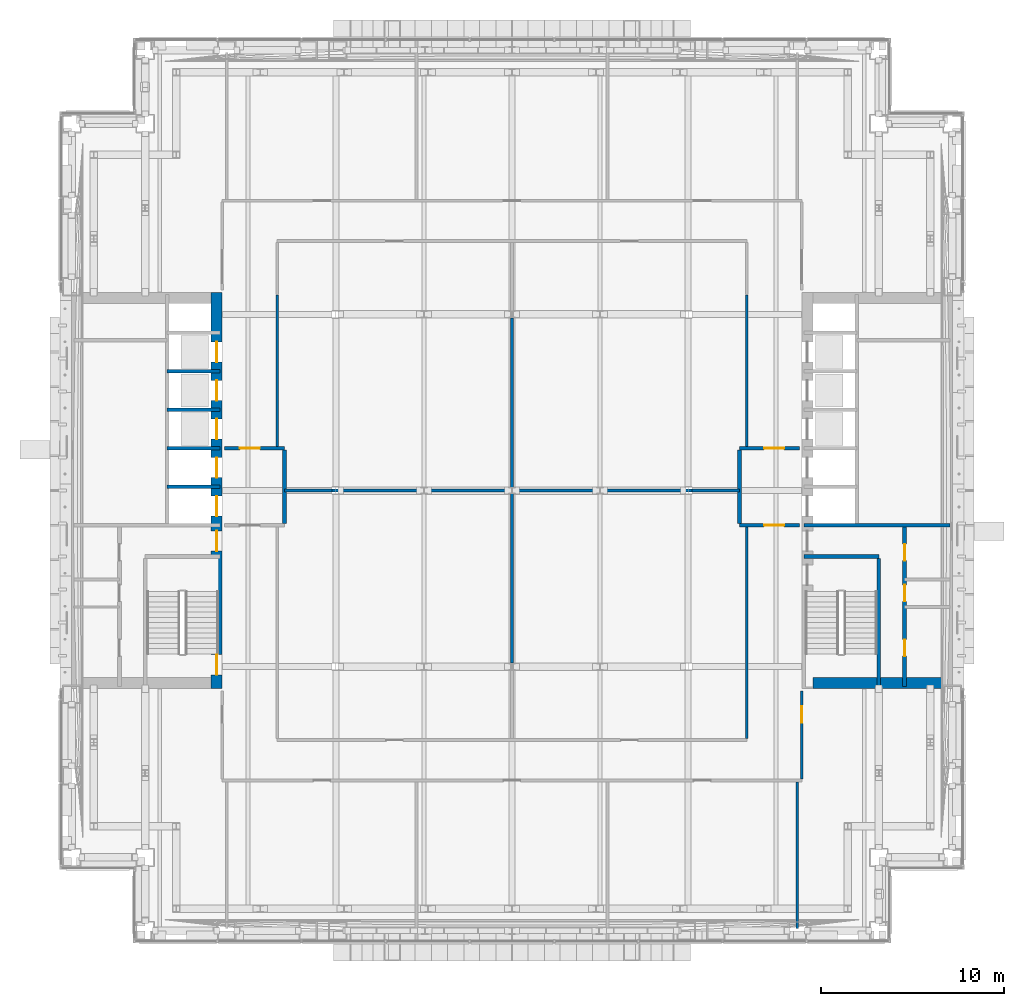
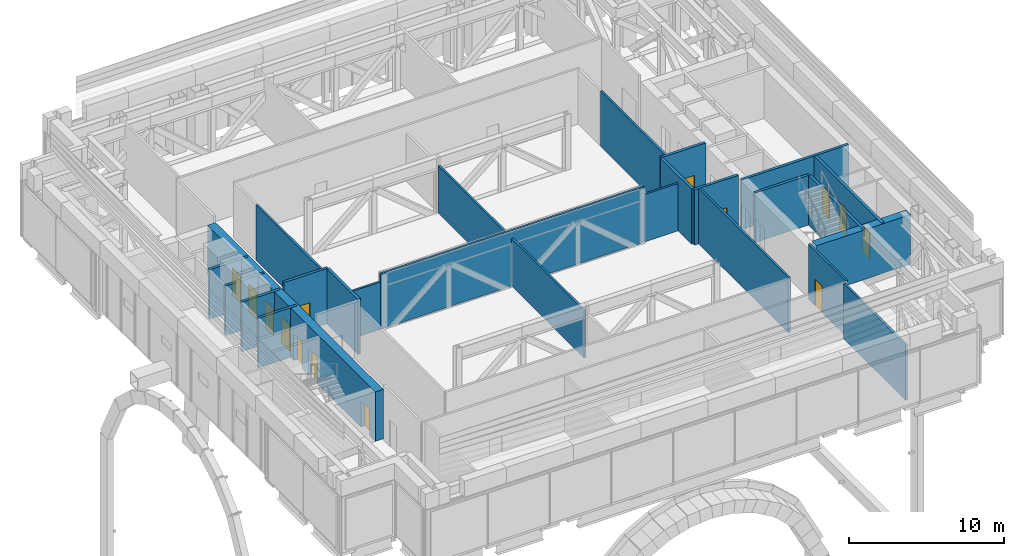
# One storey, part 18 of 39: 25 walls, 14 doors, 14 openings.
"""IFC4 building model written with IfcOpenShell, lengths in metres."""

import ifcopenshell
import ifcopenshell.guid

model = None  # the IFC model being written
_history = None  # IfcOwnerHistory: only IFC2X3 demands one
_inside = {}  # id of a spatial element -> (the spatial element, [elements in it])
_under = {}  # id of a project, library or spatial element -> (it, [spatial elements below it])
_declared = {}  # id of a project -> (the project, [libraries it declares])
_typed = {}  # id of a type object -> (the type object, [elements of that type])
_made_of = {}  # id of a material, layer set ... -> (it, [elements and type objects made of it])


def new_model(schema):
    """Start an empty IFC model of exactly this schema.

    Asked for "IFC4X3", IfcOpenShell would pick the latest addendum, in which some entities
    have other attributes; the version numbers below select the first issue.
    IFC2X3 requires an IfcOwnerHistory on every rooted entity: one is made here for all.
    """
    global model, _history
    if schema == "IFC4X3":
        model = ifcopenshell.file(schema_version=(4, 3, 0, 0))
    else:
        model = ifcopenshell.file(schema=schema)
    _inside.clear()
    _under.clear()
    _declared.clear()
    _typed.clear()
    _made_of.clear()
    _history = None
    if model.schema == "IFC2X3":
        org = make("IfcOrganization", Name="unknown")
        user = make(
            "IfcPersonAndOrganization",
            ThePerson=make("IfcPerson", FamilyName="unknown"),
            TheOrganization=org,
        )
        app = make(
            "IfcApplication",
            ApplicationDeveloper=org,
            Version="unknown",
            ApplicationFullName="unknown",
            ApplicationIdentifier="unknown",
        )
        _history = make(
            "IfcOwnerHistory",
            OwningUser=user,
            OwningApplication=app,
            ChangeAction="ADDED",
            CreationDate=0,
        )
    return model


def make(cls, **values):
    """One entity of the class cls with the attributes given. An attribute that is None is left unset."""
    return model.create_entity(
        cls, **{name: value for name, value in values.items() if value is not None}
    )


def rooted(cls, **values):
    """An entity with a GlobalId (a new one), such as an element, a storey or a relation."""
    return make(cls, GlobalId=ifcopenshell.guid.new(), OwnerHistory=_history, **values)


def si_unit(unit_type, name, prefix=None):
    """IfcSIUnit, for example si_unit("LENGTHUNIT", "METRE", prefix="MILLI")."""
    return make("IfcSIUnit", UnitType=unit_type, Prefix=prefix, Name=name)


def assignment(units):
    """IfcUnitAssignment: the units of a project."""
    return None if units is None else make("IfcUnitAssignment", Units=units)


def point(xyz):
    """IfcCartesianPoint."""
    return None if xyz is None else make("IfcCartesianPoint", Coordinates=xyz)


def direction(xyz):
    """IfcDirection."""
    return None if xyz is None else make("IfcDirection", DirectionRatios=xyz)


def frame(location, z_axis=None, x_axis=None):
    """IfcAxis2Placement3D, a coordinate frame: its origin and axes. An axis left out is left unset."""
    return make(
        "IfcAxis2Placement3D",
        Location=point(location),
        Axis=direction(z_axis),
        RefDirection=direction(x_axis),
    )


def frame_2d(location, x_axis=None):
    """IfcAxis2Placement2D, a coordinate frame in the plane: its origin and x axis."""
    return make(
        "IfcAxis2Placement2D", Location=point(location), RefDirection=direction(x_axis)
    )


def origin():
    """The frame at (0, 0, 0) with its axes left unset."""
    return frame((0.0, 0.0, 0.0))


def place(relative_to, where):
    """IfcLocalPlacement: puts the frame where relative to a parent placement (None: the world)."""
    return make(
        "IfcLocalPlacement", PlacementRelTo=relative_to, RelativePlacement=where
    )


def context(
    kind, dimensions, precision=None, world=None, true_north=None, identifier=None
):
    """IfcGeometricRepresentationContext, for example the 3D "Model" context."""
    return make(
        "IfcGeometricRepresentationContext",
        ContextIdentifier=identifier,
        ContextType=kind,
        CoordinateSpaceDimension=dimensions,
        Precision=precision,
        WorldCoordinateSystem=world,
        TrueNorth=true_north,
    )


def subcontext(parent, identifier, kind, view, scale=None):
    """IfcGeometricRepresentationSubContext, for example "Body" below "Model"."""
    return make(
        "IfcGeometricRepresentationSubContext",
        ContextIdentifier=identifier,
        ContextType=kind,
        ParentContext=parent,
        TargetScale=scale,
        TargetView=view,
    )


def project(units=None, contexts=None):
    """IfcProject with its units and contexts."""
    return rooted(
        "IfcProject",
        Name="project",
        RepresentationContexts=contexts,
        UnitsInContext=assignment(units),
    )


def spatial(cls, under=None, at=None, **own):
    """A site, building, storey or space (cls), placed at a placement, below another one or the project."""
    s = rooted(cls, ObjectPlacement=at, **own)
    if under is not None:
        _under.setdefault(under.id(), (under, []))[1].append(s)
    return s


def profile(cls, at=None, kind="AREA", **sizes):
    """A parametric profile (cls). Its sizes go by their IFC names, for example OverallWidth=200.0."""
    return make(cls, ProfileType=kind, Position=at, **sizes)


def rectangle(**sizes):
    """IfcRectangleProfileDef."""
    return profile("IfcRectangleProfileDef", **sizes)


def extrude(swept, where, along, depth):
    """IfcExtrudedAreaSolid: the profile swept, set in the frame where, extruded along a direction by depth."""
    return make(
        "IfcExtrudedAreaSolid",
        SweptArea=swept,
        Position=where,
        ExtrudedDirection=direction(along),
        Depth=depth,
    )


def shape(context_of_items, identifier, shape_type, items):
    """IfcShapeRepresentation: the items that make up one representation, for example the "Body"."""
    return make(
        "IfcShapeRepresentation",
        ContextOfItems=context_of_items,
        RepresentationIdentifier=identifier,
        RepresentationType=shape_type,
        Items=items,
    )


def material(Name=None, Category=None):
    """IfcMaterial."""
    return make("IfcMaterial", Name=Name, Category=Category)


def layer(
    of_material, thickness, ventilated=None, Name=None, Category=None, Priority=None
):
    """IfcMaterialLayer: one layer of a wall or slab, of a material (None: an air gap)."""
    return make(
        "IfcMaterialLayer",
        Material=of_material,
        LayerThickness=thickness,
        IsVentilated=ventilated,
        Name=Name,
        Category=Category,
        Priority=Priority,
    )


def layer_set(layers, Name=None):
    """IfcMaterialLayerSet."""
    return make("IfcMaterialLayerSet", MaterialLayers=layers, LayerSetName=Name)


def made_of(thing, what):
    """Note that an element or type object is made of a material, layer set ...; save() writes the relation."""
    if what is not None:
        _made_of.setdefault(what.id(), (what, []))[1].append(thing)
    return thing


def type_object(cls, material=None, **own):
    """A type object (cls), such as IfcWallType, which elements share."""
    return made_of(rooted(cls, **own), material)


def element(
    cls,
    number,
    at=None,
    inside=None,
    cuts=None,
    type_object=None,
    material=None,
    context=None,
    identifier="Body",
    shape_type=None,
    held_by="IfcProductDefinitionShape",
    body=None,
    shapes=None,
    **own,
):
    """One element of the class cls, such as IfcWall. Its Tag is "e" and its number.

    at: its placement. inside: the storey or other place that contains it. cuts: it is an
    opening in that element (IfcRelVoidsElement). A single representation is given by context,
    identifier, shape_type and body (its items); several are given by shapes. held_by: the class
    of the entity that holds the representations. save() writes the other relations.
    """
    e = rooted(cls, Tag="e%d" % number, ObjectPlacement=at, **own)
    if body is not None:
        shapes = [shape(context, identifier, shape_type, body)]
    if shapes is not None:
        e.Representation = make(held_by, Representations=shapes)
    if inside is not None:
        _inside.setdefault(inside.id(), (inside, []))[1].append(e)
    if cuts is not None:
        rooted(
            "IfcRelVoidsElement", RelatingBuildingElement=cuts, RelatedOpeningElement=e
        )
    if type_object is not None:
        _typed.setdefault(type_object.id(), (type_object, []))[1].append(e)
    return made_of(e, material)


def fill(opening, filler):
    """IfcRelFillsElement: the door or window that sits in an opening."""
    return rooted(
        "IfcRelFillsElement",
        RelatingOpeningElement=opening,
        RelatedBuildingElement=filler,
    )


def aggregate(whole, parts):
    """IfcRelAggregates: a whole, such as a stair, and the parts it consists of."""
    return rooted("IfcRelAggregates", RelatingObject=whole, RelatedObjects=parts)


def save(model, path):
    """Write the relations noted so far, then the file.

    IfcRelAggregates (storeys below a building ...), IfcRelContainedInSpatialStructure (elements
    in a storey), IfcRelDefinesByType, IfcRelAssociatesMaterial and IfcRelDeclares: one each for
    every whole, place, type object, material and project.
    """
    for whole, parts in _under.values():
        aggregate(whole, parts)
    for where, things in _inside.values():
        rooted(
            "IfcRelContainedInSpatialStructure",
            RelatedElements=things,
            RelatingStructure=where,
        )
    for kind, things in _typed.values():
        rooted("IfcRelDefinesByType", RelatedObjects=things, RelatingType=kind)
    for what, things in _made_of.values():
        rooted("IfcRelAssociatesMaterial", RelatedObjects=things, RelatingMaterial=what)
    for by, libraries in _declared.values():
        rooted("IfcRelDeclares", RelatingContext=by, RelatedDefinitions=libraries)
    model.write(path)


model = new_model("IFC4")

# Units and contexts
model_context = context("Model", 3, precision=1e-05, world=origin(), true_north=direction((0.0, 1.0)))
body_context = subcontext(model_context, "Body", "Model", "MODEL_VIEW")
ifc_project = project(units=[si_unit("LENGTHUNIT", "METRE"), si_unit("AREAUNIT", "SQUARE_METRE"), si_unit("VOLUMEUNIT", "CUBIC_METRE"), si_unit("PLANEANGLEUNIT", "RADIAN"), si_unit("MASSUNIT", "GRAM", prefix="KILO")], contexts=[model_context])

# Site, building, storey
site_placement = place(None, origin())
site = spatial("IfcSite", under=ifc_project, at=site_placement, CompositionType="ELEMENT")
building_placement = place(site_placement, origin())
building = spatial("IfcBuilding", under=site, at=building_placement, Name="Cobrizo Arcos Hotel Tower", CompositionType="ELEMENT")
storey_placement = place(building_placement, frame((0.0, 0.0, 84.5)))
storey = spatial("IfcBuildingStorey", under=building, at=storey_placement, Name="L20", CompositionType="ELEMENT", Elevation=84.5)

# Walls
ifc_material_1 = material(Name="Gypsum board partition")
ifc_layer_1 = layer(ifc_material_1, 0.14990234375)
ifc_layer_set_1 = layer_set([ifc_layer_1], Name="Corridor wall EI 60 150")
wall_type_1 = type_object("IfcWallType", Name="Corridor wall EI 60 150", PredefinedType="PARTITIONING", material=ifc_layer_set_1)
wall_1_placement = place(storey_placement, frame((-12.39990234375, 0.0, 0.0), z_axis=(0.0, 0.0, 1.0), x_axis=(1.0, 0.0, 0.0)))
element("IfcWall", 1, at=wall_1_placement, inside=storey, type_object=wall_type_1, Name="Partition 013", PredefinedType="PARTITIONING", context=body_context, shape_type="SweptSolid", body=[
    extrude(rectangle(XDim=2.595947265625, YDim=0.14990234375, at=frame_2d((1.2978515625, 0.0))), origin(), (0.0, 0.0, 1.0), 3.72802734375),
])
wall_2_placement = place(storey_placement, frame((-9.803955078125, 0.0, 0.0), z_axis=(0.0, 0.0, 1.0), x_axis=(1.0, 0.0, 0.0)))
element("IfcWall", 2, at=wall_2_placement, inside=storey, type_object=wall_type_1, Name="Partition 014", PredefinedType="PARTITIONING", context=body_context, shape_type="SweptSolid", body=[
    extrude(rectangle(XDim=19.60791015625, YDim=0.14990234375, at=frame_2d((9.803955078125, 0.0))), origin(), (0.0, 0.0, 1.0), 4.35009765625),
])
wall_3_placement = place(storey_placement, frame((9.803955078125, 0.0, 0.0), z_axis=(0.0, 0.0, 1.0), x_axis=(1.0, 0.0, 0.0)))
element("IfcWall", 3, at=wall_3_placement, inside=storey, type_object=wall_type_1, Name="Partition 015", PredefinedType="PARTITIONING", context=body_context, shape_type="SweptSolid", body=[
    extrude(rectangle(XDim=2.595947265625, YDim=0.14990234375, at=frame_2d((1.2978515625, 0.0))), origin(), (0.0, 0.0, 1.0), 3.72802734375),
])
wall_4_placement = place(storey_placement, frame((-12.800048828125, 2.39990234375, 0.0), z_axis=(0.0, 0.0, 1.0), x_axis=(0.0, 1.0, 0.0)))
element("IfcWall", 4, at=wall_4_placement, inside=storey, type_object=wall_type_1, Name="Partition 040", PredefinedType="PARTITIONING", context=body_context, shape_type="SweptSolid", body=[
    extrude(rectangle(XDim=8.25, YDim=0.14990234375, at=frame_2d((4.125, 0.0))), origin(), (0.0, 0.0, 1.0), 4.35009765625),
])
for number, where, z_axis, x_axis, name in (
    (5, (0.0, -9.39892578125, 0.0), (0.0, 0.0, 1.0), (0.0, 1.0, 0.0), "Partition 047"),
    (6, (0.0, 0.074951171875, 0.0), (0.0, 0.0, 1.0), (0.0, 1.0, 0.0), "Partition 048"),
):
    element("IfcWall", number, at=place(storey_placement, frame(where, z_axis=z_axis, x_axis=x_axis)), inside=storey, type_object=wall_type_1, Name=name, PredefinedType="PARTITIONING", context=body_context, shape_type="SweptSolid", body=[
        extrude(rectangle(XDim=9.323974609375, YDim=0.14990234375, at=frame_2d((4.662109375, 0.0))), origin(), (0.0, 0.0, 1.0), 3.72802734375),
    ])
wall_5_placement = place(storey_placement, frame((12.800048828125, -13.52490234375, 0.0), z_axis=(0.0, 0.0, 1.0), x_axis=(0.0, 1.0, 0.0)))
element("IfcWall", 7, at=wall_5_placement, inside=storey, type_object=wall_type_1, Name="Partition 054", PredefinedType="PARTITIONING", context=body_context, shape_type="SweptSolid", body=[
    extrude(rectangle(XDim=11.52490234375, YDim=0.14990234375, at=frame_2d((5.762451171875, 0.0))), origin(), (0.0, 0.0, 1.0), 4.35009765625),
])
wall_6_placement = place(storey_placement, frame((12.800048828125, 2.39990234375, 0.0), z_axis=(0.0, 0.0, 1.0), x_axis=(0.0, 1.0, 0.0)))
element("IfcWall", 8, at=wall_6_placement, inside=storey, type_object=wall_type_1, Name="Partition 055", PredefinedType="PARTITIONING", context=body_context, shape_type="SweptSolid", body=[
    extrude(rectangle(XDim=8.25, YDim=0.14990234375, at=frame_2d((4.125, 0.0))), origin(), (0.0, 0.0, 1.0), 4.35009765625),
])
wall_7_placement = place(storey_placement, frame((15.550048828125, -23.8798828125, 0.0), z_axis=(0.0, 0.0, 1.0), x_axis=(0.0, 1.0, 0.0)))
element("IfcWall", 9, at=wall_7_placement, inside=storey, type_object=wall_type_1, Name="Partition 057", PredefinedType="PARTITIONING", context=body_context, shape_type="SweptSolid", body=[
    extrude(rectangle(XDim=8.0048828125, YDim=0.14990234375, at=frame_2d((4.00244140625, 0.0))), origin(), (0.0, 0.0, 1.0), 4.35009765625),
])

# Wall, opening, door
wall_8_placement = place(storey_placement, frame((15.800048828125, -15.72509765625, 0.0), z_axis=(0.0, 0.0, 1.0), x_axis=(0.0, 1.0, 0.0)))
wall_8 = element("IfcWall", 10, at=wall_8_placement, inside=storey, type_object=wall_type_1, Name="Partition 059", PredefinedType="PARTITIONING", context=body_context, shape_type="SweptSolid", body=[
    extrude(rectangle(XDim=4.80517578125, YDim=0.14990234375, at=frame_2d((2.402587890625, 0.0))), origin(), (0.0, 0.0, 1.0), 4.35009765625),
])
opening_1_placement = place(wall_8_placement, frame((3.074951171875, 0.0, 0.0)))
opening_1 = element("IfcOpeningElement", 11, at=opening_1_placement, cuts=wall_8, Name="Opening RD-14", PredefinedType="OPENING", context=body_context, shape_type="SweptSolid", body=[
    extrude(rectangle(XDim=0.89990234375, YDim=2.10009765625, at=frame_2d((0.449951171875, 1.050048828125))), frame((0.0, 0.0869140625, 0.0), z_axis=(0.0, -1.0, 0.0), x_axis=(1.0, 0.0, 0.0)), (0.0, 0.0, 1.0), 0.173828125),
])
ifc_material_2 = material(Name="Timber door leaf", Category="wood")
door_type_1 = type_object("IfcDoorType", Name="Room door FD30 900x2100", OperationType="SINGLE_SWING_LEFT", PredefinedType="DOOR", material=ifc_material_2)
door_1_placement = place(opening_1_placement, origin())
door_1 = element("IfcDoor", 12, at=door_1_placement, inside=storey, type_object=door_type_1, Name="Door RD-14", OperationType="SINGLE_SWING_RIGHT", OverallHeight=2.10009765625, OverallWidth=0.89990234375, PredefinedType="DOOR", context=body_context, shape_type="SweptSolid", body=[
    extrude(rectangle(XDim=0.89990234375, YDim=2.10009765625, at=frame_2d((0.449951171875, 1.050048828125))), frame((0.0, 0.02490234375, 0.0), z_axis=(0.0, -1.0, 0.0), x_axis=(1.0, 0.0, 0.0)), (0.0, 0.0, 1.0), 0.050048828125),
])
fill(opening_1, door_1)

# Wall
ifc_material_3 = material(Name="Concrete f'c 60 MPa", Category="concrete")
ifc_layer_2 = layer(ifc_material_3, 0.60009765625)
ifc_layer_set_2 = layer_set([ifc_layer_2], Name="RC core wall 600 f'c 60")
wall_type_2 = type_object("IfcWallType", Name="RC core wall 600 f'c 60", PredefinedType="SHEAR", material=ifc_layer_set_2)
wall_9_placement = place(storey_placement, frame((16.39990234375, -10.5, 0.0), z_axis=(0.0, 0.0, 1.0), x_axis=(1.0, 0.0, 0.0)))
element("IfcWall", 13, at=wall_9_placement, inside=storey, type_object=wall_type_2, Name="Core wall CW1, east core, south end, L20", PredefinedType="SHEAR", context=body_context, shape_type="SweptSolid", body=[
    extrude(rectangle(XDim=7.0, YDim=0.60009765625, at=frame_2d((3.5, 0.0))), origin(), (0.0, 0.0, 1.0), 3.89990234375),
])

# Wall, openings, doors
wall_10_placement = place(storey_placement, frame((-16.10009765625, -10.800048828125, 0.0), z_axis=(0.0, 0.0, 1.0), x_axis=(0.0, 1.0, 0.0)))
wall_10 = element("IfcWall", 14, at=wall_10_placement, inside=storey, type_object=wall_type_2, Name="Core wall CW1, west core, inner face, L20", PredefinedType="SHEAR", context=body_context, shape_type="SweptSolid", body=[
    extrude(rectangle(XDim=21.60009765625, YDim=0.60009765625, at=frame_2d((10.800048828125, 0.0))), origin(), (0.0, 0.0, 1.0), 3.89990234375),
])
opening_2_placement = place(wall_10_placement, frame((9.39990234375, 0.0, 0.0)))
opening_2 = element("IfcOpeningElement", 15, at=opening_2_placement, cuts=wall_10, Name="Opening LD-01", PredefinedType="OPENING", context=body_context, shape_type="SweptSolid", body=[
    extrude(rectangle(XDim=1.10009765625, YDim=2.10009765625, at=frame_2d((0.550048828125, 1.050048828125))), frame((0.0, 0.31201171875, 0.0), z_axis=(0.0, -1.0, 0.0), x_axis=(1.0, 0.0, 0.0)), (0.0, 0.0, 1.0), 0.6240234375),
])
opening_3_placement = place(wall_10_placement, frame((11.5, 0.0, 0.0)))
opening_3 = element("IfcOpeningElement", 16, at=opening_3_placement, cuts=wall_10, Name="Opening LD-02", PredefinedType="OPENING", context=body_context, shape_type="SweptSolid", body=[
    extrude(rectangle(XDim=1.10009765625, YDim=2.10009765625, at=frame_2d((0.550048828125, 1.050048828125))), frame((0.0, 0.31201171875, 0.0), z_axis=(0.0, -1.0, 0.0), x_axis=(1.0, 0.0, 0.0)), (0.0, 0.0, 1.0), 0.6240234375),
])
opening_4_placement = place(wall_10_placement, frame((13.60009765625, 0.0, 0.0)))
opening_4 = element("IfcOpeningElement", 17, at=opening_4_placement, cuts=wall_10, Name="Opening LD-03", PredefinedType="OPENING", context=body_context, shape_type="SweptSolid", body=[
    extrude(rectangle(XDim=1.10009765625, YDim=2.10009765625, at=frame_2d((0.550048828125, 1.050048828125))), frame((0.0, 0.31201171875, 0.0), z_axis=(0.0, -1.0, 0.0), x_axis=(1.0, 0.0, 0.0)), (0.0, 0.0, 1.0), 0.6240234375),
])
opening_5_placement = place(wall_10_placement, frame((15.699951171875, 0.0, 0.0)))
opening_5 = element("IfcOpeningElement", 18, at=opening_5_placement, cuts=wall_10, Name="Opening LD-04", PredefinedType="OPENING", context=body_context, shape_type="SweptSolid", body=[
    extrude(rectangle(XDim=1.10009765625, YDim=2.10009765625, at=frame_2d((0.550048828125, 1.050048828125))), frame((0.0, 0.31201171875, 0.0), z_axis=(0.0, -1.0, 0.0), x_axis=(1.0, 0.0, 0.0)), (0.0, 0.0, 1.0), 0.6240234375),
])
opening_6_placement = place(wall_10_placement, frame((17.800048828125, 0.0, 0.0)))
opening_6 = element("IfcOpeningElement", 19, at=opening_6_placement, cuts=wall_10, Name="Opening LD-05", PredefinedType="OPENING", context=body_context, shape_type="SweptSolid", body=[
    extrude(rectangle(XDim=1.10009765625, YDim=2.10009765625, at=frame_2d((0.550048828125, 1.050048828125))), frame((0.0, 0.31201171875, 0.0), z_axis=(0.0, -1.0, 0.0), x_axis=(1.0, 0.0, 0.0)), (0.0, 0.0, 1.0), 0.6240234375),
])
opening_7_placement = place(wall_10_placement, frame((0.758056640625, 0.0, 0.0)))
opening_7 = element("IfcOpeningElement", 20, at=opening_7_placement, cuts=wall_10, Name="Opening SD-01", PredefinedType="OPENING", context=body_context, shape_type="SweptSolid", body=[
    extrude(rectangle(XDim=1.10009765625, YDim=2.10009765625, at=frame_2d((0.550048828125, 1.050048828125))), frame((0.0, 0.31201171875, 0.0), z_axis=(0.0, -1.0, 0.0), x_axis=(1.0, 0.0, 0.0)), (0.0, 0.0, 1.0), 0.6240234375),
])
opening_8_placement = place(wall_10_placement, frame((7.5, 0.0, 0.0)))
opening_8 = element("IfcOpeningElement", 21, at=opening_8_placement, cuts=wall_10, Name="Opening FD-01", PredefinedType="OPENING", context=body_context, shape_type="SweptSolid", body=[
    extrude(rectangle(XDim=1.10009765625, YDim=2.10009765625, at=frame_2d((0.550048828125, 1.050048828125))), frame((0.0, 0.31201171875, 0.0), z_axis=(0.0, -1.0, 0.0), x_axis=(1.0, 0.0, 0.0)), (0.0, 0.0, 1.0), 0.6240234375),
])
ifc_material_4 = material(Name="Steel door leaf", Category="steel")
door_type_2 = type_object("IfcDoorType", Name="Fire door FD60 1100x2100", OperationType="SINGLE_SWING_LEFT", PredefinedType="DOOR", material=ifc_material_4)
door_2_placement = place(opening_8_placement, origin())
door_2 = element("IfcDoor", 22, at=door_2_placement, inside=storey, type_object=door_type_2, Name="Door FD-01", OperationType="SINGLE_SWING_RIGHT", OverallHeight=2.10009765625, OverallWidth=1.10009765625, PredefinedType="DOOR", context=body_context, shape_type="SweptSolid", body=[
    extrude(rectangle(XDim=1.10009765625, YDim=2.10009765625, at=frame_2d((0.550048828125, 1.050048828125))), frame((0.0, 0.02490234375, 0.0), z_axis=(0.0, -1.0, 0.0), x_axis=(1.0, 0.0, 0.0)), (0.0, 0.0, 1.0), 0.050048828125),
])
fill(opening_8, door_2)
door_type_3 = type_object("IfcDoorType", Name="Lift landing door 1100x2100", OperationType="SLIDING_TO_LEFT", PredefinedType="DOOR", material=ifc_material_4)
door_3_placement = place(opening_2_placement, origin())
door_3 = element("IfcDoor", 23, at=door_3_placement, inside=storey, type_object=door_type_3, Name="Lift landing door LD-01", OperationType="SLIDING_TO_LEFT", OverallHeight=2.10009765625, OverallWidth=1.10009765625, PredefinedType="DOOR", context=body_context, shape_type="SweptSolid", body=[
    extrude(rectangle(XDim=1.10009765625, YDim=2.10009765625, at=frame_2d((0.550048828125, 1.050048828125))), frame((0.0, 0.02490234375, 0.0), z_axis=(0.0, -1.0, 0.0), x_axis=(1.0, 0.0, 0.0)), (0.0, 0.0, 1.0), 0.050048828125),
])
fill(opening_2, door_3)
door_4_placement = place(opening_3_placement, origin())
door_4 = element("IfcDoor", 24, at=door_4_placement, inside=storey, type_object=door_type_3, Name="Lift landing door LD-02", OperationType="SLIDING_TO_LEFT", OverallHeight=2.10009765625, OverallWidth=1.10009765625, PredefinedType="DOOR", context=body_context, shape_type="SweptSolid", body=[
    extrude(rectangle(XDim=1.10009765625, YDim=2.10009765625, at=frame_2d((0.550048828125, 1.050048828125))), frame((0.0, 0.02490234375, 0.0), z_axis=(0.0, -1.0, 0.0), x_axis=(1.0, 0.0, 0.0)), (0.0, 0.0, 1.0), 0.050048828125),
])
fill(opening_3, door_4)
door_5_placement = place(opening_4_placement, origin())
door_5 = element("IfcDoor", 25, at=door_5_placement, inside=storey, type_object=door_type_3, Name="Lift landing door LD-03", OperationType="SLIDING_TO_LEFT", OverallHeight=2.10009765625, OverallWidth=1.10009765625, PredefinedType="DOOR", context=body_context, shape_type="SweptSolid", body=[
    extrude(rectangle(XDim=1.10009765625, YDim=2.10009765625, at=frame_2d((0.550048828125, 1.050048828125))), frame((0.0, 0.02490234375, 0.0), z_axis=(0.0, -1.0, 0.0), x_axis=(1.0, 0.0, 0.0)), (0.0, 0.0, 1.0), 0.050048828125),
])
fill(opening_4, door_5)
door_6_placement = place(opening_5_placement, origin())
door_6 = element("IfcDoor", 26, at=door_6_placement, inside=storey, type_object=door_type_3, Name="Lift landing door LD-04", OperationType="SLIDING_TO_LEFT", OverallHeight=2.10009765625, OverallWidth=1.10009765625, PredefinedType="DOOR", context=body_context, shape_type="SweptSolid", body=[
    extrude(rectangle(XDim=1.10009765625, YDim=2.10009765625, at=frame_2d((0.550048828125, 1.050048828125))), frame((0.0, 0.02490234375, 0.0), z_axis=(0.0, -1.0, 0.0), x_axis=(1.0, 0.0, 0.0)), (0.0, 0.0, 1.0), 0.050048828125),
])
fill(opening_5, door_6)
door_7_placement = place(opening_6_placement, origin())
door_7 = element("IfcDoor", 27, at=door_7_placement, inside=storey, type_object=door_type_3, Name="Lift landing door LD-05", OperationType="SLIDING_TO_LEFT", OverallHeight=2.10009765625, OverallWidth=1.10009765625, PredefinedType="DOOR", context=body_context, shape_type="SweptSolid", body=[
    extrude(rectangle(XDim=1.10009765625, YDim=2.10009765625, at=frame_2d((0.550048828125, 1.050048828125))), frame((0.0, 0.02490234375, 0.0), z_axis=(0.0, -1.0, 0.0), x_axis=(1.0, 0.0, 0.0)), (0.0, 0.0, 1.0), 0.050048828125),
])
fill(opening_6, door_7)
door_type_4 = type_object("IfcDoorType", Name="Stair door FD60S 1100x2100", OperationType="SINGLE_SWING_LEFT", PredefinedType="DOOR", material=ifc_material_4)
door_8_placement = place(opening_7_placement, origin())
door_8 = element("IfcDoor", 28, at=door_8_placement, inside=storey, type_object=door_type_4, Name="Door SD-01", OperationType="SINGLE_SWING_LEFT", OverallHeight=2.10009765625, OverallWidth=1.10009765625, PredefinedType="DOOR", context=body_context, shape_type="SweptSolid", body=[
    extrude(rectangle(XDim=1.10009765625, YDim=2.10009765625, at=frame_2d((0.550048828125, 1.050048828125))), frame((0.0, 0.02490234375, 0.0), z_axis=(0.0, -1.0, 0.0), x_axis=(1.0, 0.0, 0.0)), (0.0, 0.0, 1.0), 0.050048828125),
])
fill(opening_7, door_8)

# Wall, opening, door
ifc_layer_3 = layer(ifc_material_1, 0.199951171875)
ifc_layer_set_3 = layer_set([ifc_layer_3], Name="Shaft wall EI 120 200")
wall_type_3 = type_object("IfcWallType", Name="Shaft wall EI 120 200", PredefinedType="PARTITIONING", material=ifc_layer_set_3)
wall_11_placement = place(storey_placement, frame((12.39990234375, -1.89990234375, 0.0), z_axis=(0.0, 0.0, 1.0), x_axis=(1.0, 0.0, 0.0)))
wall_11 = element("IfcWall", 29, at=wall_11_placement, inside=storey, type_object=wall_type_3, Name="Partition 011", PredefinedType="PARTITIONING", context=body_context, shape_type="SweptSolid", body=[
    extrude(rectangle(XDim=3.280029296875, YDim=0.199951171875, at=frame_2d((1.64013671875, 0.0))), origin(), (0.0, 0.0, 1.0), 4.35009765625),
])
opening_9_placement = place(wall_11_placement, frame((1.340087890625, 0.0, 0.0)))
opening_9 = element("IfcOpeningElement", 30, at=opening_9_placement, cuts=wall_11, Name="Opening FD-06", PredefinedType="OPENING", context=body_context, shape_type="SweptSolid", body=[
    extrude(rectangle(XDim=1.10009765625, YDim=2.10009765625, at=frame_2d((0.550048828125, 1.050048828125))), frame((0.0, 0.112060546875, 0.0), z_axis=(0.0, -1.0, 0.0), x_axis=(1.0, 0.0, 0.0)), (0.0, 0.0, 1.0), 0.223876953125),
])
door_9_placement = place(opening_9_placement, origin())
door_9 = element("IfcDoor", 31, at=door_9_placement, inside=storey, type_object=door_type_2, Name="Door FD-06", OperationType="SINGLE_SWING_RIGHT", OverallHeight=2.10009765625, OverallWidth=1.10009765625, PredefinedType="DOOR", context=body_context, shape_type="SweptSolid", body=[
    extrude(rectangle(XDim=1.10009765625, YDim=2.10009765625, at=frame_2d((0.550048828125, 1.050048828125))), frame((0.0, 0.02490234375, 0.0), z_axis=(0.0, -1.0, 0.0), x_axis=(1.0, 0.0, 0.0)), (0.0, 0.0, 1.0), 0.050048828125),
])
fill(opening_9, door_9)

# Walls
wall_12_placement = place(storey_placement, frame((15.919921875, -1.89990234375, 0.0), z_axis=(0.0, 0.0, 1.0), x_axis=(1.0, 0.0, 0.0)))
element("IfcWall", 32, at=wall_12_placement, inside=storey, type_object=wall_type_3, Name="Partition 012", PredefinedType="PARTITIONING", context=body_context, shape_type="SweptSolid", body=[
    extrude(rectangle(XDim=7.9599609375, YDim=0.199951171875, at=frame_2d((3.97998046875, 0.0))), origin(), (0.0, 0.0, 1.0), 3.89990234375),
])
for number, where, z_axis, x_axis, name in (
    (33, (-18.800048828125, 0.199951171875, 0.0), (0.0, 0.0, 1.0), (1.0, 0.0, 0.0), "Partition 016"),
    (34, (-18.800048828125, 2.300048828125, 0.0), (0.0, 0.0, 1.0), (1.0, 0.0, 0.0), "Partition 018"),
):
    element("IfcWall", number, at=place(storey_placement, frame(where, z_axis=z_axis, x_axis=x_axis)), inside=storey, type_object=wall_type_3, Name=name, PredefinedType="PARTITIONING", context=body_context, shape_type="SweptSolid", body=[
        extrude(rectangle(XDim=2.880126953125, YDim=0.199951171875, at=frame_2d((1.43994140625, 0.0))), origin(), (0.0, 0.0, 1.0), 3.89990234375),
    ])

# Wall, opening, door
wall_13_placement = place(storey_placement, frame((-15.679931640625, 2.300048828125, 0.0), z_axis=(0.0, 0.0, 1.0), x_axis=(1.0, 0.0, 0.0)))
wall_13 = element("IfcWall", 35, at=wall_13_placement, inside=storey, type_object=wall_type_3, Name="Partition 019", PredefinedType="PARTITIONING", context=body_context, shape_type="SweptSolid", body=[
    extrude(rectangle(XDim=3.280029296875, YDim=0.199951171875, at=frame_2d((1.64013671875, 0.0))), origin(), (0.0, 0.0, 1.0), 4.35009765625),
])
opening_10_placement = place(wall_13_placement, frame((0.840087890625, 0.0, 0.0)))
opening_10 = element("IfcOpeningElement", 36, at=opening_10_placement, cuts=wall_13, Name="Opening FD-02", PredefinedType="OPENING", context=body_context, shape_type="SweptSolid", body=[
    extrude(rectangle(XDim=1.10009765625, YDim=2.10009765625, at=frame_2d((0.550048828125, 1.050048828125))), frame((0.0, 0.112060546875, 0.0), z_axis=(0.0, -1.0, 0.0), x_axis=(1.0, 0.0, 0.0)), (0.0, 0.0, 1.0), 0.223876953125),
])
door_10_placement = place(opening_10_placement, origin())
door_10 = element("IfcDoor", 37, at=door_10_placement, inside=storey, type_object=door_type_2, Name="Door FD-02", OperationType="SINGLE_SWING_LEFT", OverallHeight=2.10009765625, OverallWidth=1.10009765625, PredefinedType="DOOR", context=body_context, shape_type="SweptSolid", body=[
    extrude(rectangle(XDim=1.10009765625, YDim=2.10009765625, at=frame_2d((0.550048828125, 1.050048828125))), frame((0.0, 0.02490234375, 0.0), z_axis=(0.0, -1.0, 0.0), x_axis=(1.0, 0.0, 0.0)), (0.0, 0.0, 1.0), 0.050048828125),
])
fill(opening_10, door_10)

wall_14_placement = place(storey_placement, frame((12.39990234375, 2.300048828125, 0.0), z_axis=(0.0, 0.0, 1.0), x_axis=(1.0, 0.0, 0.0)))
wall_14 = element("IfcWall", 38, at=wall_14_placement, inside=storey, type_object=wall_type_3, Name="Partition 020", PredefinedType="PARTITIONING", context=body_context, shape_type="SweptSolid", body=[
    extrude(rectangle(XDim=3.280029296875, YDim=0.199951171875, at=frame_2d((1.64013671875, 0.0))), origin(), (0.0, 0.0, 1.0), 4.35009765625),
])
opening_11_placement = place(wall_14_placement, frame((1.340087890625, 0.0, 0.0)))
opening_11 = element("IfcOpeningElement", 39, at=opening_11_placement, cuts=wall_14, Name="Opening FD-05", PredefinedType="OPENING", context=body_context, shape_type="SweptSolid", body=[
    extrude(rectangle(XDim=1.10009765625, YDim=2.10009765625, at=frame_2d((0.550048828125, 1.050048828125))), frame((0.0, 0.112060546875, 0.0), z_axis=(0.0, -1.0, 0.0), x_axis=(1.0, 0.0, 0.0)), (0.0, 0.0, 1.0), 0.223876953125),
])
door_11_placement = place(opening_11_placement, origin())
door_11 = element("IfcDoor", 40, at=door_11_placement, inside=storey, type_object=door_type_2, Name="Door FD-05", OperationType="SINGLE_SWING_LEFT", OverallHeight=2.10009765625, OverallWidth=1.10009765625, PredefinedType="DOOR", context=body_context, shape_type="SweptSolid", body=[
    extrude(rectangle(XDim=1.10009765625, YDim=2.10009765625, at=frame_2d((0.550048828125, 1.050048828125))), frame((0.0, 0.02490234375, 0.0), z_axis=(0.0, -1.0, 0.0), x_axis=(1.0, 0.0, 0.0)), (0.0, 0.0, 1.0), 0.050048828125),
])
fill(opening_11, door_11)

# Walls
for number, where, z_axis, x_axis, name in (
    (41, (-18.800048828125, 4.39990234375, 0.0), (0.0, 0.0, 1.0), (1.0, 0.0, 0.0), "Partition 022"),
    (42, (-18.800048828125, 6.5, 0.0), (0.0, 0.0, 1.0), (1.0, 0.0, 0.0), "Partition 024"),
):
    element("IfcWall", number, at=place(storey_placement, frame(where, z_axis=z_axis, x_axis=x_axis)), inside=storey, type_object=wall_type_3, Name=name, PredefinedType="PARTITIONING", context=body_context, shape_type="SweptSolid", body=[
        extrude(rectangle(XDim=2.880126953125, YDim=0.199951171875, at=frame_2d((1.43994140625, 0.0))), origin(), (0.0, 0.0, 1.0), 3.89990234375),
    ])
for number, where, z_axis, x_axis, name in (
    (43, (-12.39990234375, -1.800048828125, 0.0), (0.0, 0.0, 1.0), (0.0, 1.0, 0.0), "Partition 042"),
    (44, (12.39990234375, -1.800048828125, 0.0), (0.0, 0.0, 1.0), (0.0, 1.0, 0.0), "Partition 053"),
):
    element("IfcWall", number, at=place(storey_placement, frame(where, z_axis=z_axis, x_axis=x_axis)), inside=storey, type_object=wall_type_3, Name=name, PredefinedType="PARTITIONING", context=body_context, shape_type="SweptSolid", body=[
        extrude(rectangle(XDim=4.0, YDim=0.199951171875, at=frame_2d((2.0, 0.0))), origin(), (0.0, 0.0, 1.0), 4.35009765625),
    ])

# Wall, openings, doors
wall_15_placement = place(storey_placement, frame((21.39990234375, -10.679931640625, 0.0), z_axis=(0.0, 0.0, 1.0), x_axis=(0.0, 1.0, 0.0)))
wall_15 = element("IfcWall", 45, at=wall_15_placement, inside=storey, type_object=wall_type_3, Name="Partition 063", PredefinedType="PARTITIONING", context=body_context, shape_type="SweptSolid", body=[
    extrude(rectangle(XDim=8.679931640625, YDim=0.199951171875, at=frame_2d((4.33984375, 0.0))), origin(), (0.0, 0.0, 1.0), 3.89990234375),
])
opening_12_placement = place(wall_15_placement, frame((1.655029296875, 0.0, 0.0)))
opening_12 = element("IfcOpeningElement", 46, at=opening_12_placement, cuts=wall_15, Name="Opening RD-04", PredefinedType="OPENING", context=body_context, shape_type="SweptSolid", body=[
    extrude(rectangle(XDim=0.89990234375, YDim=2.10009765625, at=frame_2d((0.449951171875, 1.050048828125))), frame((0.0, 0.112060546875, 0.0), z_axis=(0.0, -1.0, 0.0), x_axis=(1.0, 0.0, 0.0)), (0.0, 0.0, 1.0), 0.223876953125),
])
opening_13_placement = place(wall_15_placement, frame((4.636962890625, 0.0, 0.0)))
opening_13 = element("IfcOpeningElement", 47, at=opening_13_placement, cuts=wall_15, Name="Opening RD-05", PredefinedType="OPENING", context=body_context, shape_type="SweptSolid", body=[
    extrude(rectangle(XDim=0.89990234375, YDim=2.10009765625, at=frame_2d((0.449951171875, 1.050048828125))), frame((0.0, 0.112060546875, 0.0), z_axis=(0.0, -1.0, 0.0), x_axis=(1.0, 0.0, 0.0)), (0.0, 0.0, 1.0), 0.223876953125),
])
opening_14_placement = place(wall_15_placement, frame((6.862060546875, 0.0, 0.0)))
opening_14 = element("IfcOpeningElement", 48, at=opening_14_placement, cuts=wall_15, Name="Opening RD-06", PredefinedType="OPENING", context=body_context, shape_type="SweptSolid", body=[
    extrude(rectangle(XDim=0.89990234375, YDim=2.10009765625, at=frame_2d((0.449951171875, 1.050048828125))), frame((0.0, 0.112060546875, 0.0), z_axis=(0.0, -1.0, 0.0), x_axis=(1.0, 0.0, 0.0)), (0.0, 0.0, 1.0), 0.223876953125),
])
door_12_placement = place(opening_12_placement, origin())
door_12 = element("IfcDoor", 49, at=door_12_placement, inside=storey, type_object=door_type_1, Name="Door RD-04", OperationType="SINGLE_SWING_RIGHT", OverallHeight=2.10009765625, OverallWidth=0.89990234375, PredefinedType="DOOR", context=body_context, shape_type="SweptSolid", body=[
    extrude(rectangle(XDim=0.89990234375, YDim=2.10009765625, at=frame_2d((0.449951171875, 1.050048828125))), frame((0.0, 0.02490234375, 0.0), z_axis=(0.0, -1.0, 0.0), x_axis=(1.0, 0.0, 0.0)), (0.0, 0.0, 1.0), 0.050048828125),
])
fill(opening_12, door_12)
door_13_placement = place(opening_13_placement, origin())
door_13 = element("IfcDoor", 50, at=door_13_placement, inside=storey, type_object=door_type_1, Name="Door RD-05", OperationType="SINGLE_SWING_LEFT", OverallHeight=2.10009765625, OverallWidth=0.89990234375, PredefinedType="DOOR", context=body_context, shape_type="SweptSolid", body=[
    extrude(rectangle(XDim=0.89990234375, YDim=2.10009765625, at=frame_2d((0.449951171875, 1.050048828125))), frame((0.0, 0.02490234375, 0.0), z_axis=(0.0, -1.0, 0.0), x_axis=(1.0, 0.0, 0.0)), (0.0, 0.0, 1.0), 0.050048828125),
])
fill(opening_13, door_13)
door_14_placement = place(opening_14_placement, origin())
door_14 = element("IfcDoor", 51, at=door_14_placement, inside=storey, type_object=door_type_1, Name="Door RD-06", OperationType="SINGLE_SWING_LEFT", OverallHeight=2.10009765625, OverallWidth=0.89990234375, PredefinedType="DOOR", context=body_context, shape_type="SweptSolid", body=[
    extrude(rectangle(XDim=0.89990234375, YDim=2.10009765625, at=frame_2d((0.449951171875, 1.050048828125))), frame((0.0, 0.02490234375, 0.0), z_axis=(0.0, -1.0, 0.0), x_axis=(1.0, 0.0, 0.0)), (0.0, 0.0, 1.0), 0.050048828125),
])
fill(opening_14, door_14)

# Walls
ifc_material_5 = material(Name="Concrete f'c 40 MPa", Category="concrete")
ifc_layer_4 = layer(ifc_material_5, 0.199951171875)
ifc_layer_set_4 = layer_set([ifc_layer_4], Name="Stair shaft wall 200")
wall_type_4 = type_object("IfcWallType", Name="Stair shaft wall 200", PredefinedType="SHEAR", material=ifc_layer_set_4)
wall_16_placement = place(storey_placement, frame((15.919921875, -3.60009765625, 0.0), z_axis=(0.0, 0.0, 1.0), x_axis=(1.0, 0.0, 0.0)))
element("IfcWall", 52, at=wall_16_placement, inside=storey, type_object=wall_type_4, Name="Stair shaft wall E", PredefinedType="SHEAR", context=body_context, shape_type="SweptSolid", body=[
    extrude(rectangle(XDim=4.080078125, YDim=0.199951171875, at=frame_2d((2.0400390625, 0.0))), origin(), (0.0, 0.0, 1.0), 3.89990234375),
])
wall_17_placement = place(storey_placement, frame((20.0, -10.679931640625, 0.0), z_axis=(0.0, 0.0, 1.0), x_axis=(0.0, 1.0, 0.0)))
element("IfcWall", 53, at=wall_17_placement, inside=storey, type_object=wall_type_4, Name="Stair shaft wall E", PredefinedType="SHEAR", context=body_context, shape_type="SweptSolid", body=[
    extrude(rectangle(XDim=6.97998046875, YDim=0.199951171875, at=frame_2d((3.489990234375, 0.0))), origin(), (0.0, 0.0, 1.0), 3.89990234375),
])

save(model, "model.ifc")
